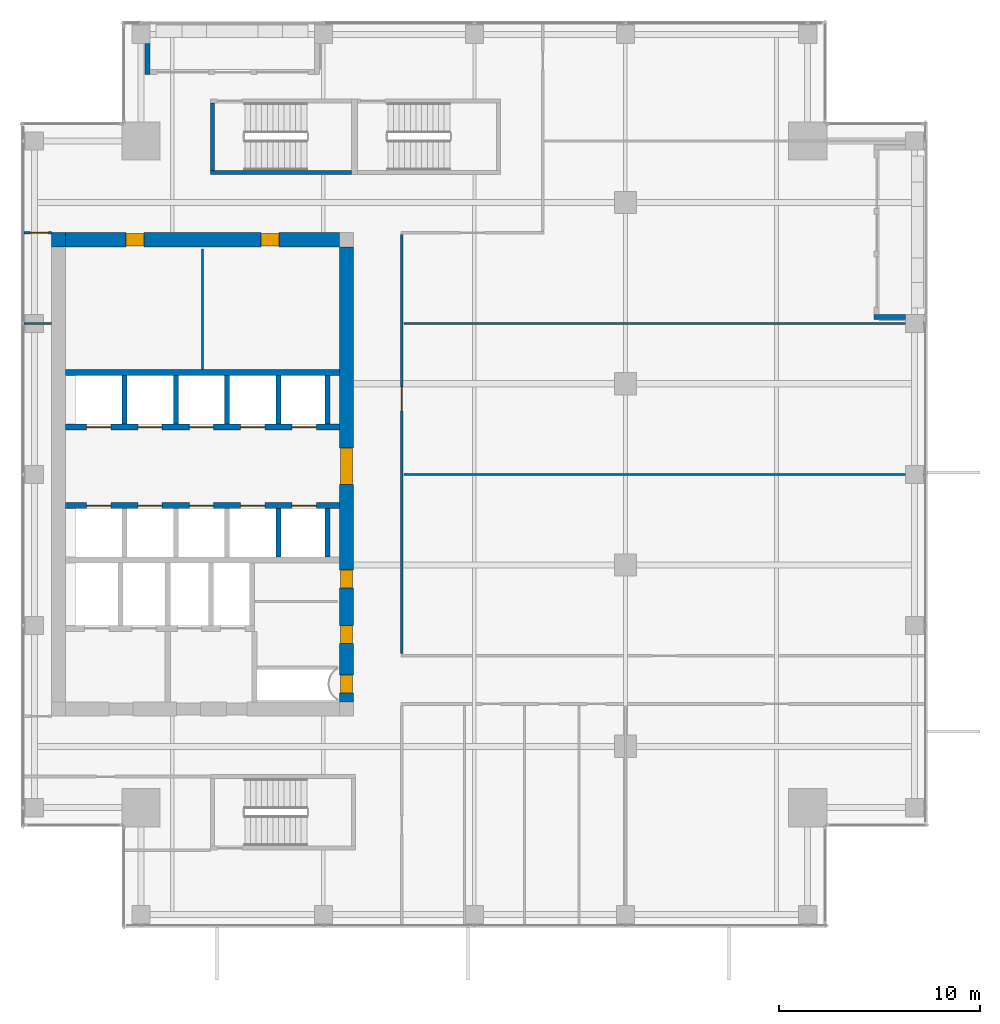
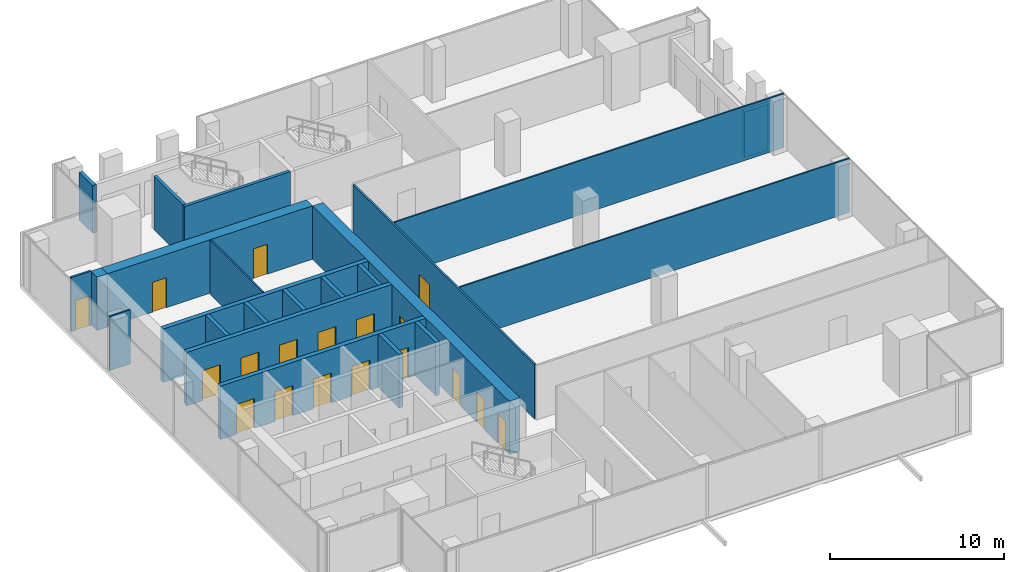
# One storey, part 30 of 34: 23 walls, 18 doors, 18 openings.
"""IFC4 building model written with IfcOpenShell, lengths in metres."""

import ifcopenshell
import ifcopenshell.guid

model = None  # the IFC model being written
_history = None  # IfcOwnerHistory: only IFC2X3 demands one
_inside = {}  # id of a spatial element -> (the spatial element, [elements in it])
_under = {}  # id of a project, library or spatial element -> (it, [spatial elements below it])
_declared = {}  # id of a project -> (the project, [libraries it declares])
_typed = {}  # id of a type object -> (the type object, [elements of that type])
_made_of = {}  # id of a material, layer set ... -> (it, [elements and type objects made of it])


def new_model(schema):
    """Start an empty IFC model of exactly this schema.

    Asked for "IFC4X3", IfcOpenShell would pick the latest addendum, in which some entities
    have other attributes; the version numbers below select the first issue.
    IFC2X3 requires an IfcOwnerHistory on every rooted entity: one is made here for all.
    """
    global model, _history
    if schema == "IFC4X3":
        model = ifcopenshell.file(schema_version=(4, 3, 0, 0))
    else:
        model = ifcopenshell.file(schema=schema)
    _inside.clear()
    _under.clear()
    _declared.clear()
    _typed.clear()
    _made_of.clear()
    _history = None
    if model.schema == "IFC2X3":
        org = make("IfcOrganization", Name="unknown")
        user = make(
            "IfcPersonAndOrganization",
            ThePerson=make("IfcPerson", FamilyName="unknown"),
            TheOrganization=org,
        )
        app = make(
            "IfcApplication",
            ApplicationDeveloper=org,
            Version="unknown",
            ApplicationFullName="unknown",
            ApplicationIdentifier="unknown",
        )
        _history = make(
            "IfcOwnerHistory",
            OwningUser=user,
            OwningApplication=app,
            ChangeAction="ADDED",
            CreationDate=0,
        )
    return model


def make(cls, **values):
    """One entity of the class cls with the attributes given. An attribute that is None is left unset."""
    return model.create_entity(
        cls, **{name: value for name, value in values.items() if value is not None}
    )


def rooted(cls, **values):
    """An entity with a GlobalId (a new one), such as an element, a storey or a relation."""
    return make(cls, GlobalId=ifcopenshell.guid.new(), OwnerHistory=_history, **values)


def si_unit(unit_type, name, prefix=None):
    """IfcSIUnit, for example si_unit("LENGTHUNIT", "METRE", prefix="MILLI")."""
    return make("IfcSIUnit", UnitType=unit_type, Prefix=prefix, Name=name)


def assignment(units):
    """IfcUnitAssignment: the units of a project."""
    return None if units is None else make("IfcUnitAssignment", Units=units)


def point(xyz):
    """IfcCartesianPoint."""
    return None if xyz is None else make("IfcCartesianPoint", Coordinates=xyz)


def direction(xyz):
    """IfcDirection."""
    return None if xyz is None else make("IfcDirection", DirectionRatios=xyz)


def frame(location, z_axis=None, x_axis=None):
    """IfcAxis2Placement3D, a coordinate frame: its origin and axes. An axis left out is left unset."""
    return make(
        "IfcAxis2Placement3D",
        Location=point(location),
        Axis=direction(z_axis),
        RefDirection=direction(x_axis),
    )


def frame_2d(location, x_axis=None):
    """IfcAxis2Placement2D, a coordinate frame in the plane: its origin and x axis."""
    return make(
        "IfcAxis2Placement2D", Location=point(location), RefDirection=direction(x_axis)
    )


def origin():
    """The frame at (0, 0, 0) with its axes left unset."""
    return frame((0.0, 0.0, 0.0))


def place(relative_to, where):
    """IfcLocalPlacement: puts the frame where relative to a parent placement (None: the world)."""
    return make(
        "IfcLocalPlacement", PlacementRelTo=relative_to, RelativePlacement=where
    )


def context(
    kind, dimensions, precision=None, world=None, true_north=None, identifier=None
):
    """IfcGeometricRepresentationContext, for example the 3D "Model" context."""
    return make(
        "IfcGeometricRepresentationContext",
        ContextIdentifier=identifier,
        ContextType=kind,
        CoordinateSpaceDimension=dimensions,
        Precision=precision,
        WorldCoordinateSystem=world,
        TrueNorth=true_north,
    )


def subcontext(parent, identifier, kind, view, scale=None):
    """IfcGeometricRepresentationSubContext, for example "Body" below "Model"."""
    return make(
        "IfcGeometricRepresentationSubContext",
        ContextIdentifier=identifier,
        ContextType=kind,
        ParentContext=parent,
        TargetScale=scale,
        TargetView=view,
    )


def project(units=None, contexts=None):
    """IfcProject with its units and contexts."""
    return rooted(
        "IfcProject",
        Name="project",
        RepresentationContexts=contexts,
        UnitsInContext=assignment(units),
    )


def spatial(cls, under=None, at=None, **own):
    """A site, building, storey or space (cls), placed at a placement, below another one or the project."""
    s = rooted(cls, ObjectPlacement=at, **own)
    if under is not None:
        _under.setdefault(under.id(), (under, []))[1].append(s)
    return s


def profile(cls, at=None, kind="AREA", **sizes):
    """A parametric profile (cls). Its sizes go by their IFC names, for example OverallWidth=200.0."""
    return make(cls, ProfileType=kind, Position=at, **sizes)


def rectangle(**sizes):
    """IfcRectangleProfileDef."""
    return profile("IfcRectangleProfileDef", **sizes)


def extrude(swept, where, along, depth):
    """IfcExtrudedAreaSolid: the profile swept, set in the frame where, extruded along a direction by depth."""
    return make(
        "IfcExtrudedAreaSolid",
        SweptArea=swept,
        Position=where,
        ExtrudedDirection=direction(along),
        Depth=depth,
    )


def shape(context_of_items, identifier, shape_type, items):
    """IfcShapeRepresentation: the items that make up one representation, for example the "Body"."""
    return make(
        "IfcShapeRepresentation",
        ContextOfItems=context_of_items,
        RepresentationIdentifier=identifier,
        RepresentationType=shape_type,
        Items=items,
    )


def source(mapping_origin, context_of_items, identifier, shape_type, items):
    """IfcRepresentationMap: a shape defined once, which mapped items show again and again."""
    return make(
        "IfcRepresentationMap",
        MappingOrigin=mapping_origin,
        MappedRepresentation=shape(context_of_items, identifier, shape_type, items),
    )


def transform(
    local_origin,
    x_axis=None,
    y_axis=None,
    z_axis=None,
    scale=None,
    scale2=None,
    scale3=None,
    uniform=True,
):
    """IfcCartesianTransformationOperator3D, or its non-uniform kind. x_axis, y_axis, z_axis: its Axis1, 2, 3."""
    if uniform:
        return make(
            "IfcCartesianTransformationOperator3D",
            Axis1=direction(x_axis),
            Axis2=direction(y_axis),
            LocalOrigin=point(local_origin),
            Scale=scale,
            Axis3=direction(z_axis),
        )
    return make(
        "IfcCartesianTransformationOperator3DnonUniform",
        Axis1=direction(x_axis),
        Axis2=direction(y_axis),
        LocalOrigin=point(local_origin),
        Scale=scale,
        Axis3=direction(z_axis),
        Scale2=scale2,
        Scale3=scale3,
    )


def mapped(mapping_source, mapping_target):
    """IfcMappedItem: shows the shape of a source again, moved by a transform."""
    return make(
        "IfcMappedItem", MappingSource=mapping_source, MappingTarget=mapping_target
    )


def material(Name=None, Category=None):
    """IfcMaterial."""
    return make("IfcMaterial", Name=Name, Category=Category)


def layer(
    of_material, thickness, ventilated=None, Name=None, Category=None, Priority=None
):
    """IfcMaterialLayer: one layer of a wall or slab, of a material (None: an air gap)."""
    return make(
        "IfcMaterialLayer",
        Material=of_material,
        LayerThickness=thickness,
        IsVentilated=ventilated,
        Name=Name,
        Category=Category,
        Priority=Priority,
    )


def layer_set(layers, Name=None):
    """IfcMaterialLayerSet."""
    return make("IfcMaterialLayerSet", MaterialLayers=layers, LayerSetName=Name)


def made_of(thing, what):
    """Note that an element or type object is made of a material, layer set ...; save() writes the relation."""
    if what is not None:
        _made_of.setdefault(what.id(), (what, []))[1].append(thing)
    return thing


def type_object(cls, material=None, **own):
    """A type object (cls), such as IfcWallType, which elements share."""
    return made_of(rooted(cls, **own), material)


def element(
    cls,
    number,
    at=None,
    inside=None,
    cuts=None,
    type_object=None,
    material=None,
    context=None,
    identifier="Body",
    shape_type=None,
    held_by="IfcProductDefinitionShape",
    body=None,
    shapes=None,
    **own,
):
    """One element of the class cls, such as IfcWall. Its Tag is "e" and its number.

    at: its placement. inside: the storey or other place that contains it. cuts: it is an
    opening in that element (IfcRelVoidsElement). A single representation is given by context,
    identifier, shape_type and body (its items); several are given by shapes. held_by: the class
    of the entity that holds the representations. save() writes the other relations.
    """
    e = rooted(cls, Tag="e%d" % number, ObjectPlacement=at, **own)
    if body is not None:
        shapes = [shape(context, identifier, shape_type, body)]
    if shapes is not None:
        e.Representation = make(held_by, Representations=shapes)
    if inside is not None:
        _inside.setdefault(inside.id(), (inside, []))[1].append(e)
    if cuts is not None:
        rooted(
            "IfcRelVoidsElement", RelatingBuildingElement=cuts, RelatedOpeningElement=e
        )
    if type_object is not None:
        _typed.setdefault(type_object.id(), (type_object, []))[1].append(e)
    return made_of(e, material)


def fill(opening, filler):
    """IfcRelFillsElement: the door or window that sits in an opening."""
    return rooted(
        "IfcRelFillsElement",
        RelatingOpeningElement=opening,
        RelatedBuildingElement=filler,
    )


def aggregate(whole, parts):
    """IfcRelAggregates: a whole, such as a stair, and the parts it consists of."""
    return rooted("IfcRelAggregates", RelatingObject=whole, RelatedObjects=parts)


def save(model, path):
    """Write the relations noted so far, then the file.

    IfcRelAggregates (storeys below a building ...), IfcRelContainedInSpatialStructure (elements
    in a storey), IfcRelDefinesByType, IfcRelAssociatesMaterial and IfcRelDeclares: one each for
    every whole, place, type object, material and project.
    """
    for whole, parts in _under.values():
        aggregate(whole, parts)
    for where, things in _inside.values():
        rooted(
            "IfcRelContainedInSpatialStructure",
            RelatedElements=things,
            RelatingStructure=where,
        )
    for kind, things in _typed.values():
        rooted("IfcRelDefinesByType", RelatedObjects=things, RelatingType=kind)
    for what, things in _made_of.values():
        rooted("IfcRelAssociatesMaterial", RelatedObjects=things, RelatingMaterial=what)
    for by, libraries in _declared.values():
        rooted("IfcRelDeclares", RelatingContext=by, RelatedDefinitions=libraries)
    model.write(path)


model = new_model("IFC4")

# Units and contexts
model_context = context("Model", 3, precision=1e-05, world=origin(), true_north=direction((0.0, 1.0)))
body_context = subcontext(model_context, "Body", "Model", "MODEL_VIEW")
ifc_project = project(units=[si_unit("LENGTHUNIT", "METRE"), si_unit("AREAUNIT", "SQUARE_METRE"), si_unit("VOLUMEUNIT", "CUBIC_METRE"), si_unit("PLANEANGLEUNIT", "RADIAN"), si_unit("MASSUNIT", "GRAM", prefix="KILO")], contexts=[model_context])

# Site, building, storey
site_placement = place(None, origin())
site = spatial("IfcSite", under=ifc_project, at=site_placement, CompositionType="ELEMENT")
building_placement = place(site_placement, origin())
building = spatial("IfcBuilding", under=site, at=building_placement, Name="Khomas Fold Tower", CompositionType="ELEMENT")
storey_placement = place(building_placement, frame((0.0, 0.0, 254.199951171875)))
storey = spatial("IfcBuildingStorey", under=building, at=storey_placement, Name="L57", CompositionType="ELEMENT", Elevation=254.199951171875)

# Walls
ifc_material_1 = material(Name="Concrete C50/60", Category="concrete")
ifc_layer_1 = layer(ifc_material_1, 0.199951171875)
ifc_layer_set_1 = layer_set([ifc_layer_1], Name="Concrete C50/60")
wall_type_1 = type_object("IfcWallType", Name="Stair wall 200", PredefinedType="SHEAR", material=ifc_layer_set_1)
shared_shape_1 = source(origin(), body_context, "Body", "SweptSolid", [
    extrude(rectangle(XDim=7.0, YDim=0.199951171875, at=frame_2d((3.5, 0.0))), origin(), (0.0, 0.0, 1.0), 3.75),
])
wall_1_placement = place(storey_placement, frame((13.89990234375, 42.0, 0.0), z_axis=(0.0, 0.0, 1.0), x_axis=(1.0, 0.0, 0.0)))
element("IfcWall", 1, at=wall_1_placement, inside=storey, type_object=wall_type_1, Name="Stair wall SW-ST1-S", PredefinedType="SHEAR", context=body_context, shape_type="MappedRepresentation", body=[
    mapped(shared_shape_1, transform((0.0, 0.0, 0.0))),
])
shared_shape_2 = source(origin(), body_context, "Body", "SweptSolid", [
    extrude(rectangle(XDim=3.349853515625, YDim=0.199951171875, at=frame_2d((1.6748046875, 0.0))), origin(), (0.0, 0.0, 1.0), 3.75),
])
wall_2_placement = place(storey_placement, frame((14.0, 42.10009765625, 0.0), z_axis=(0.0, 0.0, 1.0), x_axis=(0.0, 1.0, 0.0)))
element("IfcWall", 2, at=wall_2_placement, inside=storey, type_object=wall_type_1, Name="Stair wall SW-ST1-W", PredefinedType="SHEAR", context=body_context, shape_type="MappedRepresentation", body=[
    mapped(shared_shape_2, transform((0.0, 0.0, 0.0))),
])
ifc_material_2 = material(Name="Concrete C50/60", Category="concrete")
ifc_layer_2 = layer(ifc_material_2, 0.25)
ifc_layer_set_2 = layer_set([ifc_layer_2], Name="Concrete C50/60")
wall_type_2 = type_object("IfcWallType", Name="Shaft wall 250", PredefinedType="STANDARD", material=ifc_layer_set_2)
shared_shape_3 = source(origin(), body_context, "Body", "SweptSolid", [
    extrude(rectangle(XDim=2.39990234375, YDim=0.25, at=frame_2d((1.199951171875, 0.0))), origin(), (0.0, 0.0, 1.0), 3.75),
])
for number, where, z_axis, x_axis, name in (
    (3, (17.27490234375, 29.5, 0.0), (0.0, 0.0, 1.0), (0.0, 1.0, 0.0), "Core wall SW-HRN-MR-P1"),
    (4, (19.699951171875, 29.5, 0.0), (0.0, 0.0, 1.0), (0.0, 1.0, 0.0), "Core wall SW-HRN-MR-PE"),
    (5, (9.625, 29.5, 0.0), (0.0, 0.0, 1.0), (0.0, 1.0, 0.0), "Core wall SW-HRN-P1"),
    (6, (12.175048828125, 29.5, 0.0), (0.0, 0.0, 1.0), (0.0, 1.0, 0.0), "Core wall SW-HRN-P2"),
    (7, (14.72509765625, 29.5, 0.0), (0.0, 0.0, 1.0), (0.0, 1.0, 0.0), "Core wall SW-HRN-PE"),
):
    element("IfcWall", number, at=place(storey_placement, frame(where, z_axis=z_axis, x_axis=x_axis)), inside=storey, type_object=wall_type_2, Name=name, PredefinedType="STANDARD", context=body_context, shape_type="MappedRepresentation", body=[
        mapped(shared_shape_3, transform((0.0, 0.0, 0.0))),
    ])
shared_shape_4 = source(origin(), body_context, "Body", "SweptSolid", [
    extrude(rectangle(XDim=2.400146484375, YDim=0.25, at=frame_2d((1.2001953125, 0.0))), origin(), (0.0, 0.0, 1.0), 3.75),
])
for number, where, z_axis, x_axis, name in (
    (8, (17.27490234375, 22.89990234375, 0.0), (0.0, 0.0, 1.0), (0.0, 1.0, 0.0), "Core wall SW-HRS-MR-P1"),
    (9, (19.699951171875, 22.89990234375, 0.0), (0.0, 0.0, 1.0), (0.0, 1.0, 0.0), "Core wall SW-HRS-MR-PE"),
):
    element("IfcWall", number, at=place(storey_placement, frame(where, z_axis=z_axis, x_axis=x_axis)), inside=storey, type_object=wall_type_2, Name=name, PredefinedType="STANDARD", context=body_context, shape_type="MappedRepresentation", body=[
        mapped(shared_shape_4, transform((0.0, 0.0, 0.0))),
    ])

# Wall, openings, doors
ifc_material_3 = material(Name="Concrete C60/75", Category="concrete")
ifc_layer_3 = layer(ifc_material_3, 0.699951171875)
ifc_layer_set_3 = layer_set([ifc_layer_3], Name="Concrete C60/75")
wall_type_3 = type_object("IfcWallType", Name="Core wall 700", PredefinedType="SHEAR", material=ifc_layer_set_3)
shared_shape_5 = source(origin(), body_context, "Body", "SweptSolid", [
    extrude(rectangle(XDim=13.60009765625, YDim=0.699951171875, at=frame_2d((6.800048828125, 0.0))), origin(), (0.0, 0.0, 1.0), 3.75),
])
wall_3_placement = place(storey_placement, frame((6.699951171875, 38.64990234375, 0.0), z_axis=(0.0, 0.0, 1.0), x_axis=(1.0, 0.0, 0.0)))
wall_3 = element("IfcWall", 10, at=wall_3_placement, inside=storey, type_object=wall_type_3, Name="Core wall CW-U-N-L49", PredefinedType="SHEAR", context=body_context, shape_type="MappedRepresentation", body=[
    mapped(shared_shape_5, transform((0.0, 0.0, 0.0))),
])
shared_shape_6 = source(origin(), body_context, "Body", "SweptSolid", [
    extrude(rectangle(XDim=0.89990234375, YDim=2.10009765625, at=frame_2d((0.449951171875, 1.050048828125))), frame((0.0, 0.35986328125, 0.0), z_axis=(0.0, -1.0, 0.0), x_axis=(1.0, 0.0, 0.0)), (0.0, 0.0, 1.0), 0.719970703125),
])
opening_1_placement = place(wall_3_placement, frame((3.0, 0.0, 0.0)))
opening_1 = element("IfcOpeningElement", 11, at=opening_1_placement, cuts=wall_3, Name="Opening 0008", PredefinedType="OPENING", context=body_context, shape_type="MappedRepresentation", body=[
    mapped(shared_shape_6, transform((0.0, 0.0, 0.0))),
])
opening_2_placement = place(wall_3_placement, frame((9.699951171875, 0.0, 0.0)))
opening_2 = element("IfcOpeningElement", 12, at=opening_2_placement, cuts=wall_3, Name="Opening 0008", PredefinedType="OPENING", context=body_context, shape_type="MappedRepresentation", body=[
    mapped(shared_shape_6, transform((0.0, 0.0, 0.0))),
])
ifc_material_4 = material(Name="Timber door leaf", Category="wood")
door_type_1 = type_object("IfcDoorType", Name="Door 900x2100 right-hand", OperationType="SINGLE_SWING_RIGHT", PredefinedType="DOOR", material=ifc_material_4)
shared_shape_7 = source(origin(), body_context, "Body", "SweptSolid", [
    extrude(rectangle(XDim=0.89990234375, YDim=2.10009765625, at=frame_2d((0.449951171875, 1.050048828125))), frame((0.0, 0.2998046875, 0.0), z_axis=(0.0, -1.0, 0.0), x_axis=(1.0, 0.0, 0.0)), (0.0, 0.0, 1.0), 0.599853515625),
])
door_1_placement = place(opening_1_placement, origin())
door_1 = element("IfcDoor", 13, at=door_1_placement, inside=storey, type_object=door_type_1, Name="Door", OperationType="SINGLE_SWING_RIGHT", OverallHeight=2.10009765625, OverallWidth=0.89990234375, PredefinedType="DOOR", context=body_context, shape_type="MappedRepresentation", body=[
    mapped(shared_shape_7, transform((0.0, 0.0, 0.0))),
])
fill(opening_1, door_1)
door_2_placement = place(opening_2_placement, origin())
door_2 = element("IfcDoor", 14, at=door_2_placement, inside=storey, type_object=door_type_1, Name="Door", OperationType="SINGLE_SWING_RIGHT", OverallHeight=2.10009765625, OverallWidth=0.89990234375, PredefinedType="DOOR", context=body_context, shape_type="MappedRepresentation", body=[
    mapped(shared_shape_7, transform((0.0, 0.0, 0.0))),
])
fill(opening_2, door_2)

# Wall
ifc_material_5 = material(Name="Concrete C60/75", Category="concrete")
ifc_layer_4 = layer(ifc_material_5, 0.699951171875)
ifc_layer_set_4 = layer_set([ifc_layer_4], Name="Concrete C60/75")
wall_type_4 = type_object("IfcWallType", Name="Core corner wall 700", PredefinedType="SHEAR", material=ifc_layer_set_4)
shared_shape_8 = source(origin(), body_context, "Body", "SweptSolid", [
    extrude(rectangle(XDim=0.699951171875, YDim=0.699951171875, at=frame_2d((0.35009765625, 0.0))), origin(), (0.0, 0.0, 1.0), 3.75),
])
wall_4_placement = place(storey_placement, frame((6.0, 38.64990234375, 0.0), z_axis=(0.0, 0.0, 1.0), x_axis=(1.0, 0.0, 0.0)))
element("IfcWall", 15, at=wall_4_placement, inside=storey, type_object=wall_type_4, Name="Core wall CW-U-NW-L49", PredefinedType="SHEAR", context=body_context, shape_type="MappedRepresentation", body=[
    mapped(shared_shape_8, transform((0.0, 0.0, 0.0))),
])

# Wall, openings, doors
shared_shape_9 = source(origin(), body_context, "Body", "SweptSolid", [
    extrude(rectangle(XDim=22.60009765625, YDim=0.699951171875, at=frame_2d((11.300048828125, 0.0))), origin(), (0.0, 0.0, 1.0), 3.75),
])
wall_5_placement = place(storey_placement, frame((20.64990234375, 15.699951171875, 0.0), z_axis=(0.0, 0.0, 1.0), x_axis=(0.0, 1.0, 0.0)))
wall_5 = element("IfcWall", 16, at=wall_5_placement, inside=storey, type_object=wall_type_3, Name="Core wall CW-U-E-L49", PredefinedType="SHEAR", context=body_context, shape_type="MappedRepresentation", body=[
    mapped(shared_shape_9, transform((0.0, 0.0, 0.0))),
])
shared_shape_10 = source(origin(), body_context, "Body", "SweptSolid", [
    extrude(rectangle(XDim=1.800048828125, YDim=2.10009765625, at=frame_2d((0.89990234375, 1.050048828125))), frame((0.0, 0.35986328125, 0.0), z_axis=(0.0, -1.0, 0.0), x_axis=(1.0, 0.0, 0.0)), (0.0, 0.0, 1.0), 0.719970703125),
])
opening_3_placement = place(wall_5_placement, frame((10.800048828125, 0.0, 0.0)))
opening_3 = element("IfcOpeningElement", 17, at=opening_3_placement, cuts=wall_5, Name="Opening 0015", PredefinedType="OPENING", context=body_context, shape_type="MappedRepresentation", body=[
    mapped(shared_shape_10, transform((0.0, 0.0, 0.0))),
])
opening_4_placement = place(wall_5_placement, frame((0.449951171875, 0.0, 0.0)))
opening_4 = element("IfcOpeningElement", 18, at=opening_4_placement, cuts=wall_5, Name="Opening 0003", PredefinedType="OPENING", context=body_context, shape_type="MappedRepresentation", body=[
    mapped(shared_shape_6, transform((0.0, 0.0, 0.0))),
])
opening_5_placement = place(wall_5_placement, frame((2.89990234375, 0.0, 0.0)))
opening_5 = element("IfcOpeningElement", 19, at=opening_5_placement, cuts=wall_5, Name="Opening 0008", PredefinedType="OPENING", context=body_context, shape_type="MappedRepresentation", body=[
    mapped(shared_shape_6, transform((0.0, 0.0, 0.0))),
])
opening_6_placement = place(wall_5_placement, frame((5.64990234375, 0.0, 0.0)))
opening_6 = element("IfcOpeningElement", 20, at=opening_6_placement, cuts=wall_5, Name="Opening 0008", PredefinedType="OPENING", context=body_context, shape_type="MappedRepresentation", body=[
    mapped(shared_shape_6, transform((0.0, 0.0, 0.0))),
])
ifc_material_6 = material(Name="Steel door leaf", Category="steel")
door_type_2 = type_object("IfcDoorType", Name="Lobby door 1800x2100", OperationType="DOUBLE_DOOR_SINGLE_SWING", PredefinedType="DOOR", material=ifc_material_6)
shared_shape_11 = source(origin(), body_context, "Body", "SweptSolid", [
    extrude(rectangle(XDim=1.800048828125, YDim=2.10009765625, at=frame_2d((0.89990234375, 1.050048828125))), frame((0.0, 0.2998046875, 0.0), z_axis=(0.0, -1.0, 0.0), x_axis=(1.0, 0.0, 0.0)), (0.0, 0.0, 1.0), 0.599853515625),
])
door_3_placement = place(opening_3_placement, origin())
door_3 = element("IfcDoor", 21, at=door_3_placement, inside=storey, type_object=door_type_2, Name="Lobby door", OperationType="DOUBLE_DOOR_SINGLE_SWING", OverallHeight=2.10009765625, OverallWidth=1.800048828125, PredefinedType="DOOR", context=body_context, shape_type="MappedRepresentation", body=[
    mapped(shared_shape_11, transform((0.0, 0.0, 0.0))),
])
fill(opening_3, door_3)
ifc_material_7 = material(Name="Steel door leaf", Category="steel")
door_type_3 = type_object("IfcDoorType", Name="Plant room door 900x2100 right-hand", OperationType="SINGLE_SWING_RIGHT", PredefinedType="DOOR", material=ifc_material_7)
door_4_placement = place(opening_4_placement, origin())
door_4 = element("IfcDoor", 22, at=door_4_placement, inside=storey, type_object=door_type_3, Name="Plant room door", OperationType="SINGLE_SWING_RIGHT", OverallHeight=2.10009765625, OverallWidth=0.89990234375, PredefinedType="DOOR", context=body_context, shape_type="MappedRepresentation", body=[
    mapped(shared_shape_7, transform((0.0, 0.0, 0.0))),
])
fill(opening_4, door_4)
door_5_placement = place(opening_5_placement, origin())
door_5 = element("IfcDoor", 23, at=door_5_placement, inside=storey, type_object=door_type_1, Name="Door", OperationType="SINGLE_SWING_RIGHT", OverallHeight=2.10009765625, OverallWidth=0.89990234375, PredefinedType="DOOR", context=body_context, shape_type="MappedRepresentation", body=[
    mapped(shared_shape_7, transform((0.0, 0.0, 0.0))),
])
fill(opening_5, door_5)
door_6_placement = place(opening_6_placement, origin())
door_6 = element("IfcDoor", 24, at=door_6_placement, inside=storey, type_object=door_type_1, Name="Door", OperationType="SINGLE_SWING_RIGHT", OverallHeight=2.10009765625, OverallWidth=0.89990234375, PredefinedType="DOOR", context=body_context, shape_type="MappedRepresentation", body=[
    mapped(shared_shape_7, transform((0.0, 0.0, 0.0))),
])
fill(opening_6, door_6)

# Wall
ifc_material_8 = material(Name="Concrete C50/60", Category="concrete")
ifc_layer_5 = layer(ifc_material_8, 0.300048828125)
ifc_layer_set_5 = layer_set([ifc_layer_5], Name="Concrete C50/60")
wall_type_5 = type_object("IfcWallType", Name="Shaft wall 300", PredefinedType="STANDARD", material=ifc_layer_set_5)
shared_shape_12 = source(origin(), body_context, "Body", "SweptSolid", [
    extrude(rectangle(XDim=13.60009765625, YDim=0.300048828125, at=frame_2d((6.800048828125, 0.0))), origin(), (0.0, 0.0, 1.0), 3.75),
])
wall_6_placement = place(storey_placement, frame((6.699951171875, 32.050048828125, 0.0), z_axis=(0.0, 0.0, 1.0), x_axis=(1.0, 0.0, 0.0)))
element("IfcWall", 25, at=wall_6_placement, inside=storey, type_object=wall_type_5, Name="Core wall SW-HRN-B", PredefinedType="STANDARD", context=body_context, shape_type="MappedRepresentation", body=[
    mapped(shared_shape_12, transform((0.0, 0.0, 0.0))),
])

# Wall, openings, doors
wall_7_placement = place(storey_placement, frame((6.699951171875, 29.35009765625, 0.0), z_axis=(0.0, 0.0, 1.0), x_axis=(1.0, 0.0, 0.0)))
wall_7 = element("IfcWall", 26, at=wall_7_placement, inside=storey, type_object=wall_type_5, Name="Core wall SW-HRN-F", PredefinedType="STANDARD", context=body_context, shape_type="MappedRepresentation", body=[
    mapped(shared_shape_12, transform((0.0, 0.0, 0.0))),
])
shared_shape_13 = source(origin(), body_context, "Body", "SweptSolid", [
    extrude(rectangle(XDim=1.199951171875, YDim=2.10009765625, at=frame_2d((0.60009765625, 1.050048828125))), frame((0.0, 0.159912109375, 0.0), z_axis=(0.0, -1.0, 0.0), x_axis=(1.0, 0.0, 0.0)), (0.0, 0.0, 1.0), 0.320068359375),
])
opening_7_placement = place(wall_7_placement, frame((1.050048828125, 0.0, 0.0)))
opening_7 = element("IfcOpeningElement", 27, at=opening_7_placement, cuts=wall_7, Name="Opening LD-HR4", PredefinedType="OPENING", context=body_context, shape_type="MappedRepresentation", body=[
    mapped(shared_shape_13, transform((0.0, 0.0, 0.0))),
])
opening_8_placement = place(wall_7_placement, frame((3.60009765625, 0.0, 0.0)))
opening_8 = element("IfcOpeningElement", 28, at=opening_8_placement, cuts=wall_7, Name="Opening LD-HR5", PredefinedType="OPENING", context=body_context, shape_type="MappedRepresentation", body=[
    mapped(shared_shape_13, transform((0.0, 0.0, 0.0))),
])
opening_9_placement = place(wall_7_placement, frame((6.14990234375, 0.0, 0.0)))
opening_9 = element("IfcOpeningElement", 29, at=opening_9_placement, cuts=wall_7, Name="Opening LD-HR6", PredefinedType="OPENING", context=body_context, shape_type="MappedRepresentation", body=[
    mapped(shared_shape_13, transform((0.0, 0.0, 0.0))),
])
opening_10_placement = place(wall_7_placement, frame((8.699951171875, 0.0, 0.0)))
opening_10 = element("IfcOpeningElement", 30, at=opening_10_placement, cuts=wall_7, Name="Opening LD-MR3", PredefinedType="OPENING", context=body_context, shape_type="MappedRepresentation", body=[
    mapped(shared_shape_13, transform((0.0, 0.0, 0.0))),
])
opening_11_placement = place(wall_7_placement, frame((11.25, 0.0, 0.0)))
opening_11 = element("IfcOpeningElement", 31, at=opening_11_placement, cuts=wall_7, Name="Opening LD-MR4", PredefinedType="OPENING", context=body_context, shape_type="MappedRepresentation", body=[
    mapped(shared_shape_13, transform((0.0, 0.0, 0.0))),
])
ifc_material_9 = material(Name="Steel door leaf", Category="steel")
door_type_4 = type_object("IfcDoorType", Name="Landing door 1200x2100", OperationType="DOUBLE_DOOR_SLIDING", PredefinedType="DOOR", material=ifc_material_9)
shared_shape_14 = source(origin(), body_context, "Body", "SweptSolid", [
    extrude(rectangle(XDim=1.199951171875, YDim=2.10009765625, at=frame_2d((0.60009765625, 1.050048828125))), frame((0.0, 0.02490234375, 0.0), z_axis=(0.0, -1.0, 0.0), x_axis=(1.0, 0.0, 0.0)), (0.0, 0.0, 1.0), 0.050048828125),
])
door_7_placement = place(opening_7_placement, origin())
door_7 = element("IfcDoor", 32, at=door_7_placement, inside=storey, type_object=door_type_4, Name="Lift landing door", OperationType="DOUBLE_DOOR_SLIDING", OverallHeight=2.10009765625, OverallWidth=1.199951171875, PredefinedType="DOOR", context=body_context, shape_type="MappedRepresentation", body=[
    mapped(shared_shape_14, transform((0.0, 0.0, 0.0))),
])
fill(opening_7, door_7)
door_8_placement = place(opening_8_placement, origin())
door_8 = element("IfcDoor", 33, at=door_8_placement, inside=storey, type_object=door_type_4, Name="Lift landing door", OperationType="DOUBLE_DOOR_SLIDING", OverallHeight=2.10009765625, OverallWidth=1.199951171875, PredefinedType="DOOR", context=body_context, shape_type="MappedRepresentation", body=[
    mapped(shared_shape_14, transform((0.0, 0.0, 0.0))),
])
fill(opening_8, door_8)
door_9_placement = place(opening_9_placement, origin())
door_9 = element("IfcDoor", 34, at=door_9_placement, inside=storey, type_object=door_type_4, Name="Lift landing door", OperationType="DOUBLE_DOOR_SLIDING", OverallHeight=2.10009765625, OverallWidth=1.199951171875, PredefinedType="DOOR", context=body_context, shape_type="MappedRepresentation", body=[
    mapped(shared_shape_14, transform((0.0, 0.0, 0.0))),
])
fill(opening_9, door_9)
door_10_placement = place(opening_10_placement, origin())
door_10 = element("IfcDoor", 35, at=door_10_placement, inside=storey, type_object=door_type_4, Name="Lift landing door", OperationType="DOUBLE_DOOR_SLIDING", OverallHeight=2.10009765625, OverallWidth=1.199951171875, PredefinedType="DOOR", context=body_context, shape_type="MappedRepresentation", body=[
    mapped(shared_shape_14, transform((0.0, 0.0, 0.0))),
])
fill(opening_10, door_10)
door_11_placement = place(opening_11_placement, origin())
door_11 = element("IfcDoor", 36, at=door_11_placement, inside=storey, type_object=door_type_4, Name="Lift landing door", OperationType="DOUBLE_DOOR_SLIDING", OverallHeight=2.10009765625, OverallWidth=1.199951171875, PredefinedType="DOOR", context=body_context, shape_type="MappedRepresentation", body=[
    mapped(shared_shape_14, transform((0.0, 0.0, 0.0))),
])
fill(opening_11, door_11)

wall_8_placement = place(storey_placement, frame((6.699951171875, 25.449951171875, 0.0), z_axis=(0.0, 0.0, 1.0), x_axis=(1.0, 0.0, 0.0)))
wall_8 = element("IfcWall", 37, at=wall_8_placement, inside=storey, type_object=wall_type_5, Name="Core wall SW-HRS-F", PredefinedType="STANDARD", context=body_context, shape_type="MappedRepresentation", body=[
    mapped(shared_shape_12, transform((0.0, 0.0, 0.0))),
])
opening_12_placement = place(wall_8_placement, frame((1.050048828125, 0.0, 0.0)))
opening_12 = element("IfcOpeningElement", 38, at=opening_12_placement, cuts=wall_8, Name="Opening LD-HR1", PredefinedType="OPENING", context=body_context, shape_type="MappedRepresentation", body=[
    mapped(shared_shape_13, transform((0.0, 0.0, 0.0))),
])
opening_13_placement = place(wall_8_placement, frame((3.60009765625, 0.0, 0.0)))
opening_13 = element("IfcOpeningElement", 39, at=opening_13_placement, cuts=wall_8, Name="Opening LD-HR2", PredefinedType="OPENING", context=body_context, shape_type="MappedRepresentation", body=[
    mapped(shared_shape_13, transform((0.0, 0.0, 0.0))),
])
opening_14_placement = place(wall_8_placement, frame((6.14990234375, 0.0, 0.0)))
opening_14 = element("IfcOpeningElement", 40, at=opening_14_placement, cuts=wall_8, Name="Opening LD-HR3", PredefinedType="OPENING", context=body_context, shape_type="MappedRepresentation", body=[
    mapped(shared_shape_13, transform((0.0, 0.0, 0.0))),
])
opening_15_placement = place(wall_8_placement, frame((8.699951171875, 0.0, 0.0)))
opening_15 = element("IfcOpeningElement", 41, at=opening_15_placement, cuts=wall_8, Name="Opening LD-MR1", PredefinedType="OPENING", context=body_context, shape_type="MappedRepresentation", body=[
    mapped(shared_shape_13, transform((0.0, 0.0, 0.0))),
])
opening_16_placement = place(wall_8_placement, frame((11.25, 0.0, 0.0)))
opening_16 = element("IfcOpeningElement", 42, at=opening_16_placement, cuts=wall_8, Name="Opening LD-MR2", PredefinedType="OPENING", context=body_context, shape_type="MappedRepresentation", body=[
    mapped(shared_shape_13, transform((0.0, 0.0, 0.0))),
])
door_12_placement = place(opening_12_placement, origin())
door_12 = element("IfcDoor", 43, at=door_12_placement, inside=storey, type_object=door_type_4, Name="Lift landing door", OperationType="DOUBLE_DOOR_SLIDING", OverallHeight=2.10009765625, OverallWidth=1.199951171875, PredefinedType="DOOR", context=body_context, shape_type="MappedRepresentation", body=[
    mapped(shared_shape_14, transform((0.0, 0.0, 0.0))),
])
fill(opening_12, door_12)
door_13_placement = place(opening_13_placement, origin())
door_13 = element("IfcDoor", 44, at=door_13_placement, inside=storey, type_object=door_type_4, Name="Lift landing door", OperationType="DOUBLE_DOOR_SLIDING", OverallHeight=2.10009765625, OverallWidth=1.199951171875, PredefinedType="DOOR", context=body_context, shape_type="MappedRepresentation", body=[
    mapped(shared_shape_14, transform((0.0, 0.0, 0.0))),
])
fill(opening_13, door_13)
door_14_placement = place(opening_14_placement, origin())
door_14 = element("IfcDoor", 45, at=door_14_placement, inside=storey, type_object=door_type_4, Name="Lift landing door", OperationType="DOUBLE_DOOR_SLIDING", OverallHeight=2.10009765625, OverallWidth=1.199951171875, PredefinedType="DOOR", context=body_context, shape_type="MappedRepresentation", body=[
    mapped(shared_shape_14, transform((0.0, 0.0, 0.0))),
])
fill(opening_14, door_14)
door_15_placement = place(opening_15_placement, origin())
door_15 = element("IfcDoor", 46, at=door_15_placement, inside=storey, type_object=door_type_4, Name="Lift landing door", OperationType="DOUBLE_DOOR_SLIDING", OverallHeight=2.10009765625, OverallWidth=1.199951171875, PredefinedType="DOOR", context=body_context, shape_type="MappedRepresentation", body=[
    mapped(shared_shape_14, transform((0.0, 0.0, 0.0))),
])
fill(opening_15, door_15)
door_16_placement = place(opening_16_placement, origin())
door_16 = element("IfcDoor", 47, at=door_16_placement, inside=storey, type_object=door_type_4, Name="Lift landing door", OperationType="DOUBLE_DOOR_SLIDING", OverallHeight=2.10009765625, OverallWidth=1.199951171875, PredefinedType="DOOR", context=body_context, shape_type="MappedRepresentation", body=[
    mapped(shared_shape_14, transform((0.0, 0.0, 0.0))),
])
fill(opening_16, door_16)

# Walls
ifc_material_10 = material(Name="Natural stone", Category="masonry")
ifc_layer_6 = layer(ifc_material_10, 0.0400390625)
ifc_material_11 = material(Name="Mineral wool insulation", Category="insulation")
ifc_layer_7 = layer(ifc_material_11, 0.10009765625)
ifc_material_12 = material(Name="Masonry", Category="masonry")
ifc_layer_8 = layer(ifc_material_12, 0.110107421875)
ifc_layer_set_6 = layer_set([ifc_layer_6, ifc_layer_7, ifc_layer_8], Name="Stone-faced insulated masonry")
wall_type_6 = type_object("IfcWallType", Name="BL-Balcony wall", PredefinedType="SOLIDWALL", material=ifc_layer_set_6)
shared_shape_15 = source(origin(), body_context, "Body", "SweptSolid", [
    extrude(rectangle(XDim=1.5498046875, YDim=0.25, at=frame_2d((0.77490234375, 0.0))), origin(), (0.0, 0.0, 1.0), 3.35009765625),
])
wall_9_placement = place(storey_placement, frame((10.77490234375, 48.39990234375, 0.0), z_axis=(0.0, 0.0, 1.0), x_axis=(0.0, -1.0, 0.0)))
element("IfcWall", 48, at=wall_9_placement, inside=storey, type_object=wall_type_6, Name="Balcony return wall BAL-L57-N1-lo", PredefinedType="SOLIDWALL", context=body_context, shape_type="MappedRepresentation", body=[
    mapped(shared_shape_15, transform((0.0, 0.0, 0.0))),
])
shared_shape_16 = source(origin(), body_context, "Body", "SweptSolid", [
    extrude(rectangle(XDim=1.5498046875, YDim=0.25, at=frame_2d((0.77490234375, 0.0))), origin(), (0.0, 0.0, 1.0), 3.199951171875),
])
wall_10_placement = place(storey_placement, frame((48.39990234375, 34.824951171875, 0.0), z_axis=(0.0, 0.0, 1.0), x_axis=(-1.0, 0.0, 0.0)))
element("IfcWall", 49, at=wall_10_placement, inside=storey, type_object=wall_type_6, Name="Balcony return wall BAL-L57-E4-lo", PredefinedType="SOLIDWALL", context=body_context, shape_type="MappedRepresentation", body=[
    mapped(shared_shape_16, transform((0.0, 0.0, 0.0))),
])
ifc_material_13 = material(Name="Plasterboard partition")
ifc_layer_9 = layer(ifc_material_13, 0.10009765625)
ifc_layer_set_7 = layer_set([ifc_layer_9], Name="Plasterboard partition")
wall_type_7 = type_object("IfcWallType", Name="Partition PW1 100", PredefinedType="PARTITIONING", material=ifc_layer_set_7)
shared_shape_17 = source(origin(), body_context, "Body", "SweptSolid", [
    extrude(rectangle(XDim=6.0, YDim=0.10009765625, at=frame_2d((3.0, 0.0))), origin(), (0.0, 0.0, 1.0), 3.800048828125),
])
wall_11_placement = place(storey_placement, frame((13.5, 32.199951171875, 0.0), z_axis=(0.0, 0.0, 1.0), x_axis=(0.0, 1.0, 0.0)))
element("IfcWall", 50, at=wall_11_placement, inside=storey, type_object=wall_type_7, Name="Partition", PredefinedType="PARTITIONING", context=body_context, shape_type="MappedRepresentation", body=[
    mapped(shared_shape_17, transform((0.0, 0.0, 0.0))),
])

# Wall, opening, door
ifc_material_14 = material(Name="Plasterboard partition")
ifc_layer_10 = layer(ifc_material_14, 0.125)
ifc_layer_set_8 = layer_set([ifc_layer_10], Name="Plasterboard partition")
wall_type_8 = type_object("IfcWallType", Name="Partition PW2 125", PredefinedType="PARTITIONING", material=ifc_layer_set_8)
shared_shape_18 = source(origin(), body_context, "Body", "SweptSolid", [
    extrude(rectangle(XDim=1.35009765625, YDim=0.125, at=frame_2d((0.675048828125, 0.0))), origin(), (0.0, 0.0, 1.0), 3.800048828125),
])
wall_12_placement = place(storey_placement, frame((4.64990234375, 39.0, 0.0), z_axis=(0.0, 0.0, 1.0), x_axis=(1.0, 0.0, 0.0)))
wall_12 = element("IfcWall", 51, at=wall_12_placement, inside=storey, type_object=wall_type_8, Name="Partition", PredefinedType="PARTITIONING", context=body_context, shape_type="MappedRepresentation", body=[
    mapped(shared_shape_18, transform((0.0, 0.0, 0.0))),
])
shared_shape_19 = source(origin(), body_context, "Body", "SweptSolid", [
    extrude(rectangle(XDim=0.89990234375, YDim=2.10009765625, at=frame_2d((0.449951171875, 1.050048828125))), frame((0.0, 0.072509765625, 0.0), z_axis=(0.0, -1.0, 0.0), x_axis=(1.0, 0.0, 0.0)), (0.0, 0.0, 1.0), 0.14501953125),
])
opening_17_placement = place(wall_12_placement, frame((0.300048828125, 0.0, 0.0)))
opening_17 = element("IfcOpeningElement", 52, at=opening_17_placement, cuts=wall_12, Name="Opening 0008", PredefinedType="OPENING", context=body_context, shape_type="MappedRepresentation", body=[
    mapped(shared_shape_19, transform((0.0, 0.0, 0.0))),
])
shared_shape_20 = source(origin(), body_context, "Body", "SweptSolid", [
    extrude(rectangle(XDim=0.89990234375, YDim=2.10009765625, at=frame_2d((0.449951171875, 1.050048828125))), frame((0.0, 0.02490234375, 0.0), z_axis=(0.0, -1.0, 0.0), x_axis=(1.0, 0.0, 0.0)), (0.0, 0.0, 1.0), 0.050048828125),
])
door_17_placement = place(opening_17_placement, origin())
door_17 = element("IfcDoor", 53, at=door_17_placement, inside=storey, type_object=door_type_1, Name="Door", OperationType="SINGLE_SWING_RIGHT", OverallHeight=2.10009765625, OverallWidth=0.89990234375, PredefinedType="DOOR", context=body_context, shape_type="MappedRepresentation", body=[
    mapped(shared_shape_20, transform((0.0, 0.0, 0.0))),
])
fill(opening_17, door_17)

# Wall
shared_shape_21 = source(origin(), body_context, "Body", "SweptSolid", [
    extrude(rectangle(XDim=1.35009765625, YDim=0.10009765625, at=frame_2d((0.675048828125, 0.0))), origin(), (0.0, 0.0, 1.0), 3.800048828125),
])
wall_13_placement = place(storey_placement, frame((4.64990234375, 34.5, 0.0), z_axis=(0.0, 0.0, 1.0), x_axis=(1.0, 0.0, 0.0)))
element("IfcWall", 54, at=wall_13_placement, inside=storey, type_object=wall_type_7, Name="Partition", PredefinedType="PARTITIONING", context=body_context, shape_type="MappedRepresentation", body=[
    mapped(shared_shape_21, transform((0.0, 0.0, 0.0))),
])

# Wall, opening, door
shared_shape_22 = source(origin(), body_context, "Body", "SweptSolid", [
    extrude(rectangle(XDim=20.7998046875, YDim=0.125, at=frame_2d((10.39990234375, 0.0))), origin(), (0.0, 0.0, 1.0), 3.800048828125),
])
wall_14_placement = place(storey_placement, frame((23.39990234375, 18.10009765625, 0.0), z_axis=(0.0, 0.0, 1.0), x_axis=(0.0, 1.0, 0.0)))
wall_14 = element("IfcWall", 55, at=wall_14_placement, inside=storey, type_object=wall_type_8, Name="Partition", PredefinedType="PARTITIONING", context=body_context, shape_type="MappedRepresentation", body=[
    mapped(shared_shape_22, transform((0.0, 0.0, 0.0))),
])
shared_shape_23 = source(origin(), body_context, "Body", "SweptSolid", [
    extrude(rectangle(XDim=1.199951171875, YDim=2.10009765625, at=frame_2d((0.60009765625, 1.050048828125))), frame((0.0, 0.072509765625, 0.0), z_axis=(0.0, -1.0, 0.0), x_axis=(1.0, 0.0, 0.0)), (0.0, 0.0, 1.0), 0.14501953125),
])
opening_18_placement = place(wall_14_placement, frame((12.050048828125, 0.0, 0.0)))
opening_18 = element("IfcOpeningElement", 56, at=opening_18_placement, cuts=wall_14, Name="Opening 0001", PredefinedType="OPENING", context=body_context, shape_type="MappedRepresentation", body=[
    mapped(shared_shape_23, transform((0.0, 0.0, 0.0))),
])
ifc_material_15 = material(Name="Timber door leaf", Category="wood")
door_type_5 = type_object("IfcDoorType", Name="Door 1200x2100 right-hand", OperationType="SINGLE_SWING_RIGHT", PredefinedType="DOOR", material=ifc_material_15)
door_18_placement = place(opening_18_placement, origin())
door_18 = element("IfcDoor", 57, at=door_18_placement, inside=storey, type_object=door_type_5, Name="Door", OperationType="SINGLE_SWING_RIGHT", OverallHeight=2.10009765625, OverallWidth=1.199951171875, PredefinedType="DOOR", context=body_context, shape_type="MappedRepresentation", body=[
    mapped(shared_shape_14, transform((0.0, 0.0, 0.0))),
])
fill(opening_18, door_18)

# Walls
shared_shape_24 = source(origin(), body_context, "Body", "SweptSolid", [
    extrude(rectangle(XDim=25.85009765625, YDim=0.10009765625, at=frame_2d((12.925048828125, 0.0))), origin(), (0.0, 0.0, 1.0), 3.800048828125),
])
for number, where, z_axis, x_axis, name in (
    (58, (23.5, 27.0, 0.0), (0.0, 0.0, 1.0), (1.0, 0.0, 0.0), "Partition"),
    (59, (23.5, 34.5, 0.0), (0.0, 0.0, 1.0), (1.0, 0.0, 0.0), "Partition"),
):
    element("IfcWall", number, at=place(storey_placement, frame(where, z_axis=z_axis, x_axis=x_axis)), inside=storey, type_object=wall_type_7, Name=name, PredefinedType="PARTITIONING", context=body_context, shape_type="MappedRepresentation", body=[
        mapped(shared_shape_24, transform((0.0, 0.0, 0.0))),
    ])

save(model, "model.ifc")
